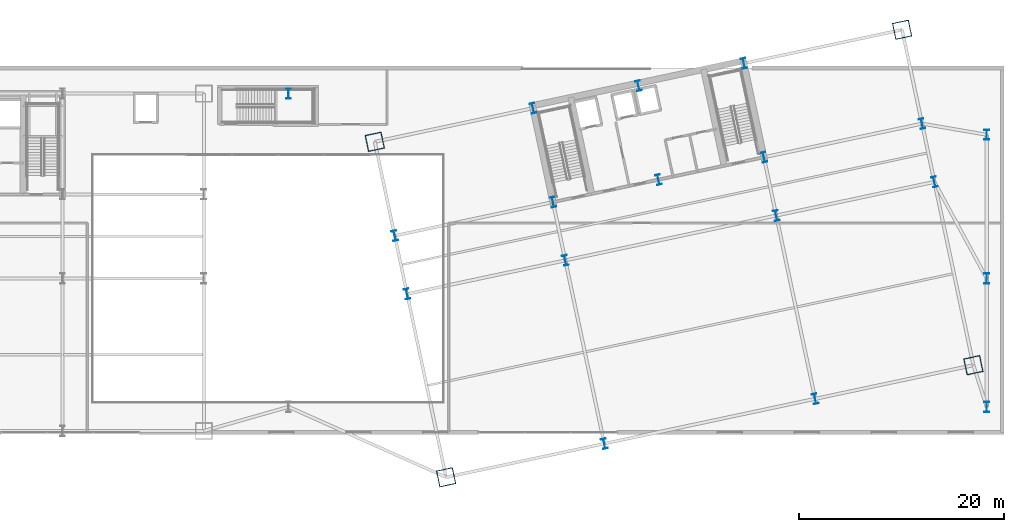
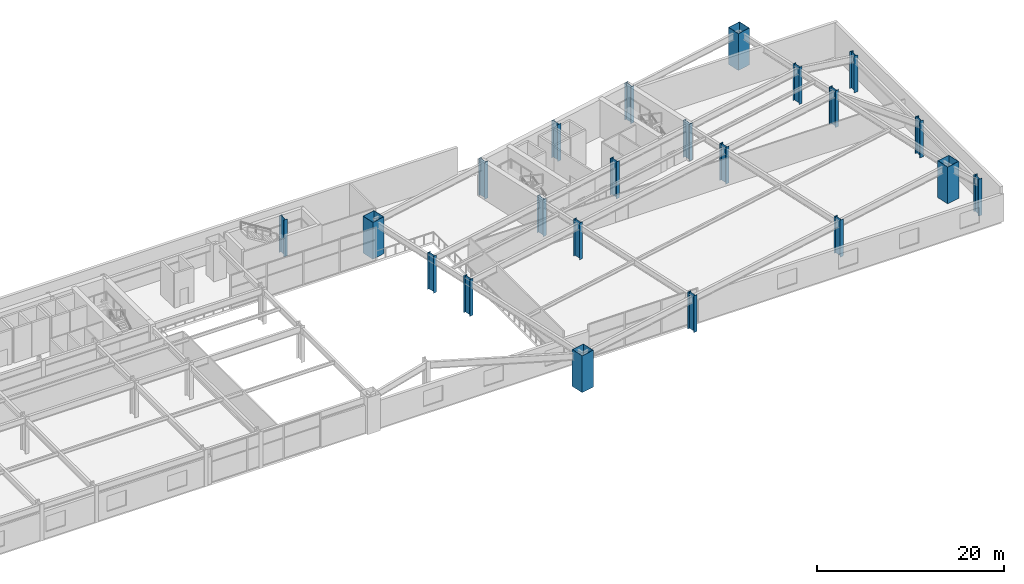
# One storey, part 2 of 30: 22 columns.
"""IFC4 building model written with IfcOpenShell, lengths in metres."""

from ifc_helpers import new_model, si_unit, direction, frame, origin, origin_2d, place, context, subcontext, project, spatial, hollow_rectangle, i_section, extrude, material, material_profile, profile_set, type_object, element, save


model = new_model("IFC4")

# Units and contexts
model_context = context("Model", 3, precision=1e-05, world=origin(), true_north=direction((0.0, 1.0)))
body_context = subcontext(model_context, "Body", "Model", "MODEL_VIEW")
ifc_project = project(units=[si_unit("LENGTHUNIT", "METRE"), si_unit("AREAUNIT", "SQUARE_METRE"), si_unit("VOLUMEUNIT", "CUBIC_METRE"), si_unit("PLANEANGLEUNIT", "RADIAN"), si_unit("MASSUNIT", "GRAM", prefix="KILO")], contexts=[model_context])

# Site, building, storey
site_placement = place(None, origin())
site = spatial("IfcSite", under=ifc_project, at=site_placement, CompositionType="ELEMENT")
building_placement = place(site_placement, origin())
building = spatial("IfcBuilding", under=site, at=building_placement, Name="Haevon Station Towers", CompositionType="ELEMENT")
storey_placement = place(building_placement, frame((0.0, 0.0, 15.60009765625)))
storey = spatial("IfcBuildingStorey", under=building, at=storey_placement, Name="L03", CompositionType="ELEMENT", Elevation=15.60009765625)

# Columns
ifc_material = material(Name="Steel S460", Category="steel")
ifc_material_profile_1 = material_profile(ifc_material, hollow_rectangle(XDim=1.60009765625, YDim=1.60009765625, WallThickness=0.0400390625, at=origin_2d()), Name="BOX-1600x1600x40")
ifc_profile_set_1 = profile_set([ifc_material_profile_1], Name="Steel S460")
column_type_1 = type_object("IfcColumnType", Name="COL-MC1", PredefinedType="COLUMN", material=ifc_profile_set_1)
for number, where, z_axis, x_axis, name in (
    (1, (88.346923828125, 10.643310546875, 0.0), (0.0, 0.0, 1.0), (0.978147600734, 0.207911690818, 0.0), "COL-T2-L03-01-01"),
    (2, (81.402587890625, 43.3134765625, 0.0), (0.0, 0.0, 1.0), (0.978147600734, 0.207911690818, 0.0), "COL-T2-L03-01-04"),
    (3, (139.699462890625, 21.558837890625, 0.0), (0.0, 0.0, 1.0), (0.978147600734, 0.207911690818, 0.0), "COL-T2-L03-05-01"),
    (4, (132.75537109375, 54.228759765625, 0.0), (0.0, 0.0, 1.0), (0.978147600734, 0.207911690818, 0.0), "COL-T2-L03-05-04"),
):
    element("IfcColumn", number, at=place(storey_placement, frame(where, z_axis=z_axis, x_axis=x_axis)), inside=storey, type_object=column_type_1, Name=name, PredefinedType="COLUMN", context=body_context, shape_type="SweptSolid", body=[
        extrude(hollow_rectangle(XDim=1.60009765625, YDim=1.60009765625, WallThickness=0.0400390625, at=origin_2d()), origin(), (0.0, 0.0, 1.0), 4.7998046875),
    ])
ifc_material_profile_2 = material_profile(ifc_material, i_section(OverallWidth=0.449951171875, OverallDepth=1.0, WebThickness=0.02197265625, FlangeThickness=0.0400390625, at=origin_2d()), Name="H-1000x450x22x40")
ifc_profile_set_2 = profile_set([ifc_material_profile_2], Name="Steel S460")
column_type_2 = type_object("IfcColumnType", Name="COL-POD1", PredefinedType="COLUMN", material=ifc_profile_set_2)
for number, where, z_axis, x_axis, name in (
    (5, (84.552490234375, 28.49462890625, 0.0), (0.0, 0.0, 1.0), (0.978147600734, 0.207911690818, 0.0), "COL-T2-L03-01-02"),
    (6, (83.346435546875, 34.167724609375, 0.0), (0.0, 0.0, 1.0), (0.978147600734, 0.207911690818, 0.0), "COL-T2-L03-01-03"),
    (7, (103.752685546875, 13.91796875, 0.0), (0.0, 0.0, 1.0), (0.978147600734, 0.207911690818, 0.0), "COL-T2-L03-02-01"),
    (8, (99.958251953125, 31.76904296875, 0.0), (0.0, 0.0, 1.0), (0.978147600734, 0.207911690818, 0.0), "COL-T2-L03-02-02"),
    (9, (98.75244140625, 37.4423828125, 0.0), (0.0, 0.0, 1.0), (0.978147600734, 0.207911690818, 0.0), "COL-T2-L03-02-03"),
    (10, (96.808349609375, 46.588134765625, 0.0), (0.0, 0.0, 1.0), (0.978147600734, 0.207911690818, 0.0), "COL-T2-L03-02-04"),
    (11, (109.02294921875, 39.62548828125, 0.0), (0.0, 0.0, 1.0), (0.978147600734, 0.207911690818, 0.0), "COL-T2-L03-03-03"),
    (12, (107.078857421875, 48.771240234375, 0.0), (0.0, 0.0, 1.0), (0.978147600734, 0.207911690818, 0.0), "COL-T2-L03-03-04"),
    (13, (124.293701171875, 18.2841796875, 0.0), (0.0, 0.0, 1.0), (0.978147600734, 0.207911690818, 0.0), "COL-T2-L03-04-01"),
    (14, (120.499267578125, 36.13525390625, 0.0), (0.0, 0.0, 1.0), (0.978147600734, 0.207911690818, 0.0), "COL-T2-L03-04-02"),
    (15, (119.29345703125, 41.80859375, 0.0), (0.0, 0.0, 1.0), (0.978147600734, 0.207911690818, 0.0), "COL-T2-L03-04-03"),
    (16, (117.349365234375, 50.954345703125, 0.0), (0.0, 0.0, 1.0), (0.978147600734, 0.207911690818, 0.0), "COL-T2-L03-04-04"),
    (17, (135.9052734375, 39.409912109375, 0.0), (0.0, 0.0, 1.0), (0.978147600734, 0.207911690818, 0.0), "COL-T2-L03-05-02"),
    (18, (134.69921875, 45.083251953125, 0.0), (0.0, 0.0, 1.0), (0.978147600734, 0.207911690818, 0.0), "COL-T2-L03-05-03"),
    (19, (73.0, 48.0, 0.0), (0.0, 0.0, 1.0), (1.0, 0.0, 0.0), "COL-POD-L03-M2"),
    (20, (141.0, 17.5, 0.0), (0.0, 0.0, 1.0), (1.0, 0.0, 0.0), "COL-POD-L03-E1"),
    (21, (141.0, 30.0, 0.0), (0.0, 0.0, 1.0), (1.0, 0.0, 0.0), "COL-POD-L03-E2"),
    (22, (141.0, 44.0, 0.0), (0.0, 0.0, 1.0), (1.0, 0.0, 0.0), "COL-POD-L03-E3"),
):
    element("IfcColumn", number, at=place(storey_placement, frame(where, z_axis=z_axis, x_axis=x_axis)), inside=storey, type_object=column_type_2, Name=name, PredefinedType="COLUMN", context=body_context, shape_type="SweptSolid", body=[
        extrude(i_section(OverallWidth=0.449951171875, OverallDepth=1.0, WebThickness=0.02197265625, FlangeThickness=0.0400390625, at=origin_2d()), origin(), (0.0, 0.0, 1.0), 4.7998046875),
    ])

save(model, "model.ifc")
